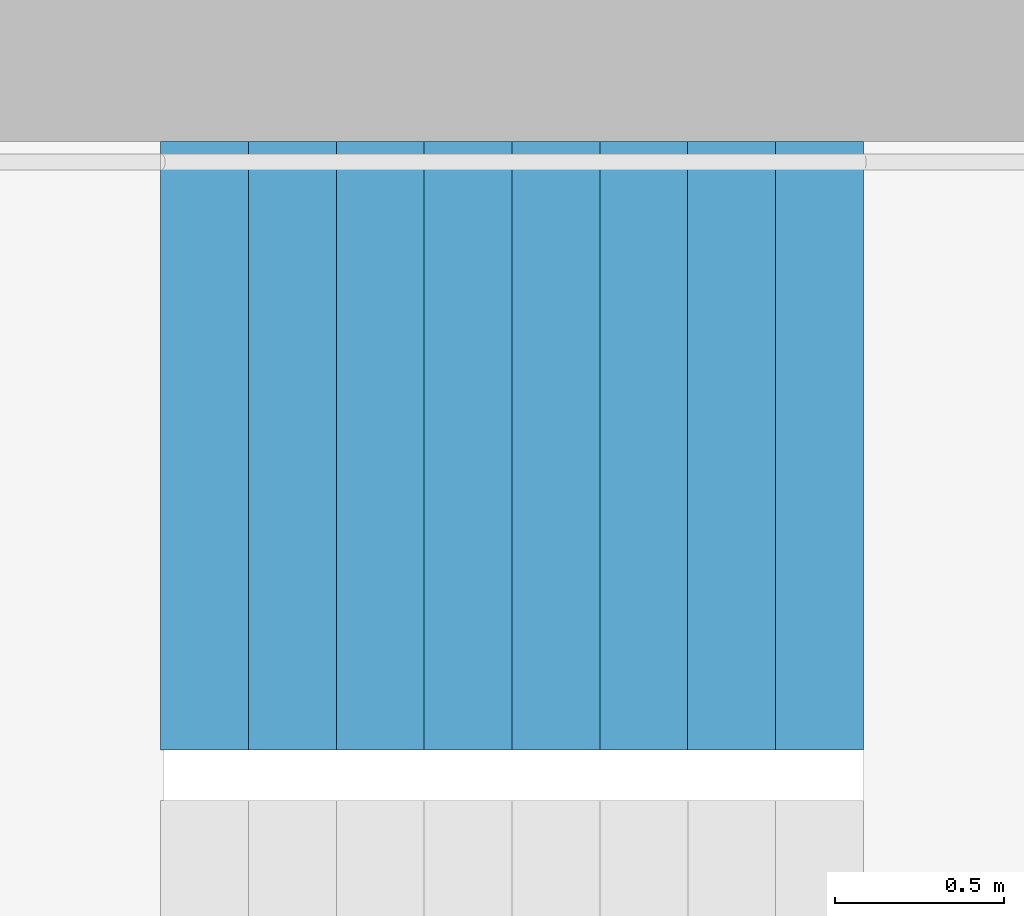
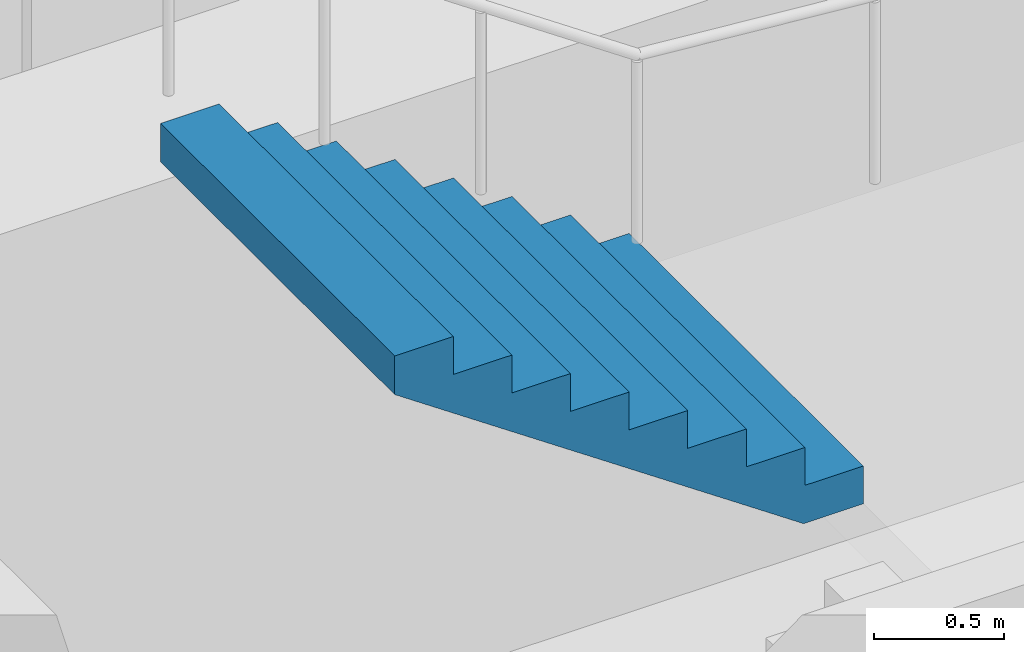
# One storey, part 21 of 26: 1 stair flight, 1 element without a shape of its own.
"""IFC4 building model written with IfcOpenShell, lengths in metres."""

from ifc_helpers import new_model, si_unit, direction, frame, origin, place, context, subcontext, project, spatial, triangles, material, type_object, element, aggregate, save


model = new_model("IFC4")

# Units and contexts
model_context = context("Model", 3, precision=1e-05, world=origin(), true_north=direction((0.0, 1.0)))
body_context = subcontext(model_context, "Body", "Model", "MODEL_VIEW")
ifc_project = project(units=[si_unit("LENGTHUNIT", "METRE"), si_unit("AREAUNIT", "SQUARE_METRE"), si_unit("VOLUMEUNIT", "CUBIC_METRE"), si_unit("PLANEANGLEUNIT", "RADIAN"), si_unit("MASSUNIT", "GRAM", prefix="KILO")], contexts=[model_context])

# Site, building, storey
site_placement = place(None, origin())
site = spatial("IfcSite", under=ifc_project, at=site_placement, CompositionType="ELEMENT")
building_placement = place(site_placement, origin())
building = spatial("IfcBuilding", under=site, at=building_placement, Name="Hakoniwa Tower and Hamabe Station Hall", CompositionType="ELEMENT")
storey_placement = place(building_placement, frame((0.0, 0.0, 215.39990234375)))
storey = spatial("IfcBuildingStorey", under=building, at=storey_placement, Name="L61", CompositionType="ELEMENT", Elevation=215.39990234375)

# Stair, stair flight
ifc_material_1 = material(Name="Concrete C40", Category="concrete")
stair_type = type_object("IfcStairType", Name="ESCAPE STAIR 1800", PredefinedType="HALF_TURN_STAIR", material=ifc_material_1)
stair_placement = place(storey_placement, origin())
stair = element("IfcStair", 1, at=stair_placement, inside=storey, type_object=stair_type, Name="Escape stair ST-1 L61", PredefinedType="HALF_TURN_STAIR")
ifc_material_2 = material(Name="Concrete C40", Category="concrete")
stair_flight_type = type_object("IfcStairFlightType", Name="STAIR FLIGHT 1800", PredefinedType="STRAIGHT", material=ifc_material_2)
stair_flight_placement = place(storey_placement, frame((-22.320068359375, 6.60009765625, 1.60009765625), z_axis=(0.0, 0.0, 1.0), x_axis=(-1.0, 0.0, 0.0)))
stair_flight = element("IfcStairFlight", 2, at=stair_flight_placement, type_object=stair_flight_type, Name="ST-1 flight 2", NumberOfRisers=9, NumberOfTreads=8, PredefinedType="STRAIGHT", RiserHeight=0.177777778, TreadLength=0.26, context=body_context, shape_type="Tessellation", body=[
    triangles([(0.0, 0.89990234375, 0.0), (0.260009765625, 0.89990234375, 0.0), (0.265625, 0.89990234375, 0.0), (0.52001953125, 0.89990234375, 0.174072265625), (0.780029296875, 0.89990234375, 0.351806640625), (1.0400390625, 0.89990234375, 0.529541015625), (1.300048828125, 0.89990234375, 0.707275390625), (1.56005859375, 0.89990234375, 0.885009765625), (1.820068359375, 0.89990234375, 1.062744140625), (2.080078125, 0.89990234375, 1.24072265625), (2.080078125, 0.89990234375, 1.422119140625), (1.820068359375, 0.89990234375, 1.422119140625), (1.820068359375, 0.89990234375, 1.244384765625), (1.56005859375, 0.89990234375, 1.244384765625), (1.56005859375, 0.89990234375, 1.066650390625), (1.300048828125, 0.89990234375, 1.066650390625), (1.300048828125, 0.89990234375, 0.888916015625), (1.0400390625, 0.89990234375, 0.888916015625), (1.0400390625, 0.89990234375, 0.711181640625), (0.780029296875, 0.89990234375, 0.711181640625), (0.780029296875, 0.89990234375, 0.533447265625), (0.52001953125, 0.89990234375, 0.533447265625), (0.52001953125, 0.89990234375, 0.35546875), (0.265625, 0.89990234375, 0.35546875), (0.260009765625, 0.89990234375, 0.35546875), (0.260009765625, 0.89990234375, 0.177734375), (0.0, 0.89990234375, 0.177734375), (0.0, 0.06005859375, 0.0), (0.260009765625, 0.06005859375, 0.0), (0.265625, 0.06005859375, 0.0), (0.52001953125, 0.06005859375, 0.174072265625), (0.780029296875, 0.06005859375, 0.351806640625), (1.0400390625, 0.06005859375, 0.529541015625), (1.300048828125, 0.06005859375, 0.707275390625), (1.56005859375, 0.06005859375, 0.885009765625), (1.820068359375, 0.06005859375, 1.062744140625), (2.080078125, 0.06005859375, 1.24072265625), (2.080078125, 0.06005859375, 1.422119140625), (1.820068359375, 0.06005859375, 1.422119140625), (1.820068359375, 0.06005859375, 1.244384765625), (1.56005859375, 0.06005859375, 1.244384765625), (1.56005859375, 0.06005859375, 1.066650390625), (1.300048828125, 0.06005859375, 1.066650390625), (1.300048828125, 0.06005859375, 0.888916015625), (1.0400390625, 0.06005859375, 0.888916015625), (1.0400390625, 0.06005859375, 0.711181640625), (0.780029296875, 0.06005859375, 0.711181640625), (0.780029296875, 0.06005859375, 0.533447265625), (0.52001953125, 0.06005859375, 0.533447265625), (0.52001953125, 0.06005859375, 0.35546875), (0.265625, 0.06005859375, 0.35546875), (0.260009765625, 0.06005859375, 0.35546875), (0.260009765625, 0.06005859375, 0.177734375), (0.0, 0.06005859375, 0.177734375), (0.0, 0.04296875, 0.0), (0.260009765625, 0.04296875, 0.0), (0.265625, 0.04296875, 0.0), (0.52001953125, 0.04296875, 0.174072265625), (0.780029296875, 0.04296875, 0.351806640625), (1.0400390625, 0.04296875, 0.529541015625), (1.300048828125, 0.04296875, 0.707275390625), (1.56005859375, 0.04296875, 0.885009765625), (1.820068359375, 0.04296875, 1.062744140625), (2.080078125, 0.04296875, 1.24072265625), (2.080078125, 0.04296875, 1.422119140625), (1.820068359375, 0.04296875, 1.422119140625), (1.820068359375, 0.04296875, 1.244384765625), (1.56005859375, 0.04296875, 1.244384765625), (1.56005859375, 0.04296875, 1.066650390625), (1.300048828125, 0.04296875, 1.066650390625), (1.300048828125, 0.04296875, 0.888916015625), (1.0400390625, 0.04296875, 0.888916015625), (1.0400390625, 0.04296875, 0.711181640625), (0.780029296875, 0.04296875, 0.711181640625), (0.780029296875, 0.04296875, 0.533447265625), (0.52001953125, 0.04296875, 0.533447265625), (0.52001953125, 0.04296875, 0.35546875), (0.265625, 0.04296875, 0.35546875), (0.260009765625, 0.04296875, 0.35546875), (0.260009765625, 0.04296875, 0.177734375), (0.0, 0.04296875, 0.177734375), (0.0, 0.025634765625, 0.0), (0.260009765625, 0.025634765625, 0.0), (0.265625, 0.025634765625, 0.0), (0.52001953125, 0.025634765625, 0.174072265625), (0.780029296875, 0.025634765625, 0.351806640625), (1.0400390625, 0.025634765625, 0.529541015625), (1.300048828125, 0.025634765625, 0.707275390625), (1.56005859375, 0.025634765625, 0.885009765625), (1.820068359375, 0.025634765625, 1.062744140625), (2.080078125, 0.025634765625, 1.24072265625), (2.080078125, 0.025634765625, 1.422119140625), (1.820068359375, 0.025634765625, 1.422119140625), (1.820068359375, 0.025634765625, 1.244384765625), (1.56005859375, 0.025634765625, 1.244384765625), (1.56005859375, 0.025634765625, 1.066650390625), (1.300048828125, 0.025634765625, 1.066650390625), (1.300048828125, 0.025634765625, 0.888916015625), (1.0400390625, 0.025634765625, 0.888916015625), (1.0400390625, 0.025634765625, 0.711181640625), (0.780029296875, 0.025634765625, 0.711181640625), (0.780029296875, 0.025634765625, 0.533447265625), (0.52001953125, 0.025634765625, 0.533447265625), (0.52001953125, 0.025634765625, 0.35546875), (0.265625, 0.025634765625, 0.35546875), (0.260009765625, 0.025634765625, 0.35546875), (0.260009765625, 0.025634765625, 0.177734375), (0.0, 0.025634765625, 0.177734375), (0.0, 0.008544921875, 0.0), (0.260009765625, 0.008544921875, 0.0), (0.265625, 0.008544921875, 0.0), (0.52001953125, 0.008544921875, 0.174072265625), (0.780029296875, 0.008544921875, 0.351806640625), (1.0400390625, 0.008544921875, 0.529541015625), (1.300048828125, 0.008544921875, 0.707275390625), (1.56005859375, 0.008544921875, 0.885009765625), (1.820068359375, 0.008544921875, 1.062744140625), (2.080078125, 0.008544921875, 1.24072265625), (2.080078125, 0.008544921875, 1.422119140625), (1.820068359375, 0.008544921875, 1.422119140625), (1.820068359375, 0.008544921875, 1.244384765625), (1.56005859375, 0.008544921875, 1.244384765625), (1.56005859375, 0.008544921875, 1.066650390625), (1.300048828125, 0.008544921875, 1.066650390625), (1.300048828125, 0.008544921875, 0.888916015625), (1.0400390625, 0.008544921875, 0.888916015625), (1.0400390625, 0.008544921875, 0.711181640625), (0.780029296875, 0.008544921875, 0.711181640625), (0.780029296875, 0.008544921875, 0.533447265625), (0.52001953125, 0.008544921875, 0.533447265625), (0.52001953125, 0.008544921875, 0.35546875), (0.265625, 0.008544921875, 0.35546875), (0.260009765625, 0.008544921875, 0.35546875), (0.260009765625, 0.008544921875, 0.177734375), (0.0, 0.008544921875, 0.177734375), (0.0, -0.008544921875, 0.0), (0.260009765625, -0.008544921875, 0.0), (0.265625, -0.008544921875, 0.0), (0.52001953125, -0.008544921875, 0.174072265625), (0.780029296875, -0.008544921875, 0.351806640625), (1.0400390625, -0.008544921875, 0.529541015625), (1.300048828125, -0.008544921875, 0.707275390625), (1.56005859375, -0.008544921875, 0.885009765625), (1.820068359375, -0.008544921875, 1.062744140625), (2.080078125, -0.008544921875, 1.24072265625), (2.080078125, -0.008544921875, 1.422119140625), (1.820068359375, -0.008544921875, 1.422119140625), (1.820068359375, -0.008544921875, 1.244384765625), (1.56005859375, -0.008544921875, 1.244384765625), (1.56005859375, -0.008544921875, 1.066650390625), (1.300048828125, -0.008544921875, 1.066650390625), (1.300048828125, -0.008544921875, 0.888916015625), (1.0400390625, -0.008544921875, 0.888916015625), (1.0400390625, -0.008544921875, 0.711181640625), (0.780029296875, -0.008544921875, 0.711181640625), (0.780029296875, -0.008544921875, 0.533447265625), (0.52001953125, -0.008544921875, 0.533447265625), (0.52001953125, -0.008544921875, 0.35546875), (0.265625, -0.008544921875, 0.35546875), (0.260009765625, -0.008544921875, 0.35546875), (0.260009765625, -0.008544921875, 0.177734375), (0.0, -0.008544921875, 0.177734375), (0.0, -0.025634765625, 0.0), (0.260009765625, -0.025634765625, 0.0), (0.265625, -0.025634765625, 0.0), (0.52001953125, -0.025634765625, 0.174072265625), (0.780029296875, -0.025634765625, 0.351806640625), (1.0400390625, -0.025634765625, 0.529541015625), (1.300048828125, -0.025634765625, 0.707275390625), (1.56005859375, -0.025634765625, 0.885009765625), (1.820068359375, -0.025634765625, 1.062744140625), (2.080078125, -0.025634765625, 1.24072265625), (2.080078125, -0.025634765625, 1.422119140625), (1.820068359375, -0.025634765625, 1.422119140625), (1.820068359375, -0.025634765625, 1.244384765625), (1.56005859375, -0.025634765625, 1.244384765625), (1.56005859375, -0.025634765625, 1.066650390625), (1.300048828125, -0.025634765625, 1.066650390625), (1.300048828125, -0.025634765625, 0.888916015625), (1.0400390625, -0.025634765625, 0.888916015625), (1.0400390625, -0.025634765625, 0.711181640625), (0.780029296875, -0.025634765625, 0.711181640625), (0.780029296875, -0.025634765625, 0.533447265625), (0.52001953125, -0.025634765625, 0.533447265625), (0.52001953125, -0.025634765625, 0.35546875), (0.265625, -0.025634765625, 0.35546875), (0.260009765625, -0.025634765625, 0.35546875), (0.260009765625, -0.025634765625, 0.177734375), (0.0, -0.025634765625, 0.177734375), (0.0, -0.04296875, 0.0), (0.260009765625, -0.04296875, 0.0), (0.265625, -0.04296875, 0.0), (0.52001953125, -0.04296875, 0.174072265625), (0.780029296875, -0.04296875, 0.351806640625), (1.0400390625, -0.04296875, 0.529541015625), (1.300048828125, -0.04296875, 0.707275390625), (1.56005859375, -0.04296875, 0.885009765625), (1.820068359375, -0.04296875, 1.062744140625), (2.080078125, -0.04296875, 1.24072265625), (2.080078125, -0.04296875, 1.422119140625), (1.820068359375, -0.04296875, 1.422119140625), (1.820068359375, -0.04296875, 1.244384765625), (1.56005859375, -0.04296875, 1.244384765625), (1.56005859375, -0.04296875, 1.066650390625), (1.300048828125, -0.04296875, 1.066650390625), (1.300048828125, -0.04296875, 0.888916015625), (1.0400390625, -0.04296875, 0.888916015625), (1.0400390625, -0.04296875, 0.711181640625), (0.780029296875, -0.04296875, 0.711181640625), (0.780029296875, -0.04296875, 0.533447265625), (0.52001953125, -0.04296875, 0.533447265625), (0.52001953125, -0.04296875, 0.35546875), (0.265625, -0.04296875, 0.35546875), (0.260009765625, -0.04296875, 0.35546875), (0.260009765625, -0.04296875, 0.177734375), (0.0, -0.04296875, 0.177734375), (0.0, -0.06005859375, 0.0), (0.260009765625, -0.06005859375, 0.0), (0.265625, -0.06005859375, 0.0), (0.52001953125, -0.06005859375, 0.174072265625), (0.780029296875, -0.06005859375, 0.351806640625), (1.0400390625, -0.06005859375, 0.529541015625), (1.300048828125, -0.06005859375, 0.707275390625), (1.56005859375, -0.06005859375, 0.885009765625), (1.820068359375, -0.06005859375, 1.062744140625), (2.080078125, -0.06005859375, 1.24072265625), (2.080078125, -0.06005859375, 1.422119140625), (1.820068359375, -0.06005859375, 1.422119140625), (1.820068359375, -0.06005859375, 1.244384765625), (1.56005859375, -0.06005859375, 1.244384765625), (1.56005859375, -0.06005859375, 1.066650390625), (1.300048828125, -0.06005859375, 1.066650390625), (1.300048828125, -0.06005859375, 0.888916015625), (1.0400390625, -0.06005859375, 0.888916015625), (1.0400390625, -0.06005859375, 0.711181640625), (0.780029296875, -0.06005859375, 0.711181640625), (0.780029296875, -0.06005859375, 0.533447265625), (0.52001953125, -0.06005859375, 0.533447265625), (0.52001953125, -0.06005859375, 0.35546875), (0.265625, -0.06005859375, 0.35546875), (0.260009765625, -0.06005859375, 0.35546875), (0.260009765625, -0.06005859375, 0.177734375), (0.0, -0.06005859375, 0.177734375), (0.0, -0.89990234375, 0.0), (0.260009765625, -0.89990234375, 0.0), (0.265625, -0.89990234375, 0.0), (0.52001953125, -0.89990234375, 0.174072265625), (0.780029296875, -0.89990234375, 0.351806640625), (1.0400390625, -0.89990234375, 0.529541015625), (1.300048828125, -0.89990234375, 0.707275390625), (1.56005859375, -0.89990234375, 0.885009765625), (1.820068359375, -0.89990234375, 1.062744140625), (2.080078125, -0.89990234375, 1.24072265625), (2.080078125, -0.89990234375, 1.422119140625), (1.820068359375, -0.89990234375, 1.422119140625), (1.820068359375, -0.89990234375, 1.244384765625), (1.56005859375, -0.89990234375, 1.244384765625), (1.56005859375, -0.89990234375, 1.066650390625), (1.300048828125, -0.89990234375, 1.066650390625), (1.300048828125, -0.89990234375, 0.888916015625), (1.0400390625, -0.89990234375, 0.888916015625), (1.0400390625, -0.89990234375, 0.711181640625), (0.780029296875, -0.89990234375, 0.711181640625), (0.780029296875, -0.89990234375, 0.533447265625), (0.52001953125, -0.89990234375, 0.533447265625), (0.52001953125, -0.89990234375, 0.35546875), (0.265625, -0.89990234375, 0.35546875), (0.260009765625, -0.89990234375, 0.35546875), (0.260009765625, -0.89990234375, 0.177734375), (0.0, -0.89990234375, 0.177734375)], [[2, 27, 26], [245, 269, 270], [2, 1, 27], [245, 270, 244], [3, 25, 24], [246, 267, 268], [3, 26, 25], [246, 268, 269], [3, 2, 26], [246, 269, 245], [4, 24, 23], [247, 266, 267], [4, 3, 24], [247, 267, 246], [5, 22, 21], [248, 264, 265], [5, 23, 22], [248, 265, 266], [5, 4, 23], [248, 266, 247], [6, 20, 19], [249, 262, 263], [6, 21, 20], [249, 263, 264], [6, 5, 21], [249, 264, 248], [7, 18, 17], [250, 260, 261], [7, 19, 18], [250, 261, 262], [7, 6, 19], [250, 262, 249], [8, 16, 15], [251, 258, 259], [8, 17, 16], [251, 259, 260], [8, 7, 17], [251, 260, 250], [9, 14, 13], [252, 256, 257], [9, 15, 14], [252, 257, 258], [9, 8, 15], [252, 258, 251], [10, 12, 11], [253, 254, 255], [10, 13, 12], [253, 255, 256], [10, 9, 13], [253, 256, 252], [1, 2, 29], [1, 29, 28], [28, 29, 56], [28, 56, 55], [55, 56, 83], [55, 83, 82], [82, 83, 110], [82, 110, 109], [109, 110, 137], [109, 137, 136], [136, 137, 164], [136, 164, 163], [163, 164, 191], [163, 191, 190], [190, 191, 218], [190, 218, 217], [217, 218, 245], [217, 245, 244], [2, 3, 30], [2, 30, 29], [29, 30, 57], [29, 57, 56], [56, 57, 84], [56, 84, 83], [83, 84, 111], [83, 111, 110], [110, 111, 138], [110, 138, 137], [137, 138, 165], [137, 165, 164], [164, 165, 192], [164, 192, 191], [191, 192, 219], [191, 219, 218], [218, 219, 246], [218, 246, 245], [3, 4, 31], [3, 31, 30], [30, 31, 58], [30, 58, 57], [57, 58, 85], [57, 85, 84], [84, 85, 112], [84, 112, 111], [111, 112, 139], [111, 139, 138], [138, 139, 166], [138, 166, 165], [165, 166, 193], [165, 193, 192], [192, 193, 220], [192, 220, 219], [219, 220, 247], [219, 247, 246], [4, 5, 32], [4, 32, 31], [31, 32, 59], [31, 59, 58], [58, 59, 86], [58, 86, 85], [85, 86, 113], [85, 113, 112], [112, 113, 140], [112, 140, 139], [139, 140, 167], [139, 167, 166], [166, 167, 194], [166, 194, 193], [193, 194, 221], [193, 221, 220], [220, 221, 248], [220, 248, 247], [5, 6, 33], [5, 33, 32], [32, 33, 60], [32, 60, 59], [59, 60, 87], [59, 87, 86], [86, 87, 114], [86, 114, 113], [113, 114, 141], [113, 141, 140], [140, 141, 168], [140, 168, 167], [167, 168, 195], [167, 195, 194], [194, 195, 222], [194, 222, 221], [221, 222, 249], [221, 249, 248], [6, 7, 34], [6, 34, 33], [33, 34, 61], [33, 61, 60], [60, 61, 88], [60, 88, 87], [87, 88, 115], [87, 115, 114], [114, 115, 142], [114, 142, 141], [141, 142, 169], [141, 169, 168], [168, 169, 196], [168, 196, 195], [195, 196, 223], [195, 223, 222], [222, 223, 250], [222, 250, 249], [7, 8, 35], [7, 35, 34], [34, 35, 62], [34, 62, 61], [61, 62, 89], [61, 89, 88], [88, 89, 116], [88, 116, 115], [115, 116, 143], [115, 143, 142], [142, 143, 170], [142, 170, 169], [169, 170, 197], [169, 197, 196], [196, 197, 224], [196, 224, 223], [223, 224, 251], [223, 251, 250], [8, 9, 36], [8, 36, 35], [35, 36, 63], [35, 63, 62], [62, 63, 90], [62, 90, 89], [89, 90, 117], [89, 117, 116], [116, 117, 144], [116, 144, 143], [143, 144, 171], [143, 171, 170], [170, 171, 198], [170, 198, 197], [197, 198, 225], [197, 225, 224], [224, 225, 252], [224, 252, 251], [9, 10, 37], [9, 37, 36], [36, 37, 64], [36, 64, 63], [63, 64, 91], [63, 91, 90], [90, 91, 118], [90, 118, 117], [117, 118, 145], [117, 145, 144], [144, 145, 172], [144, 172, 171], [171, 172, 199], [171, 199, 198], [198, 199, 226], [198, 226, 225], [225, 226, 253], [225, 253, 252], [10, 11, 38], [10, 38, 37], [37, 38, 65], [37, 65, 64], [64, 65, 92], [64, 92, 91], [91, 92, 119], [91, 119, 118], [118, 119, 146], [118, 146, 145], [145, 146, 173], [145, 173, 172], [172, 173, 200], [172, 200, 199], [199, 200, 227], [199, 227, 226], [226, 227, 254], [226, 254, 253], [11, 12, 39], [11, 39, 38], [38, 39, 66], [38, 66, 65], [65, 66, 93], [65, 93, 92], [92, 93, 120], [92, 120, 119], [119, 120, 147], [119, 147, 146], [146, 147, 174], [146, 174, 173], [173, 174, 201], [173, 201, 200], [200, 201, 228], [200, 228, 227], [227, 228, 255], [227, 255, 254], [12, 13, 40], [12, 40, 39], [39, 40, 67], [39, 67, 66], [66, 67, 94], [66, 94, 93], [93, 94, 121], [93, 121, 120], [120, 121, 148], [120, 148, 147], [147, 148, 175], [147, 175, 174], [174, 175, 202], [174, 202, 201], [201, 202, 229], [201, 229, 228], [228, 229, 256], [228, 256, 255], [13, 14, 41], [13, 41, 40], [40, 41, 68], [40, 68, 67], [67, 68, 95], [67, 95, 94], [94, 95, 122], [94, 122, 121], [121, 122, 149], [121, 149, 148], [148, 149, 176], [148, 176, 175], [175, 176, 203], [175, 203, 202], [202, 203, 230], [202, 230, 229], [229, 230, 257], [229, 257, 256], [14, 15, 42], [14, 42, 41], [41, 42, 69], [41, 69, 68], [68, 69, 96], [68, 96, 95], [95, 96, 123], [95, 123, 122], [122, 123, 150], [122, 150, 149], [149, 150, 177], [149, 177, 176], [176, 177, 204], [176, 204, 203], [203, 204, 231], [203, 231, 230], [230, 231, 258], [230, 258, 257], [15, 16, 43], [15, 43, 42], [42, 43, 70], [42, 70, 69], [69, 70, 97], [69, 97, 96], [96, 97, 124], [96, 124, 123], [123, 124, 151], [123, 151, 150], [150, 151, 178], [150, 178, 177], [177, 178, 205], [177, 205, 204], [204, 205, 232], [204, 232, 231], [231, 232, 259], [231, 259, 258], [16, 17, 44], [16, 44, 43], [43, 44, 71], [43, 71, 70], [70, 71, 98], [70, 98, 97], [97, 98, 125], [97, 125, 124], [124, 125, 152], [124, 152, 151], [151, 152, 179], [151, 179, 178], [178, 179, 206], [178, 206, 205], [205, 206, 233], [205, 233, 232], [232, 233, 260], [232, 260, 259], [17, 18, 45], [17, 45, 44], [44, 45, 72], [44, 72, 71], [71, 72, 99], [71, 99, 98], [98, 99, 126], [98, 126, 125], [125, 126, 153], [125, 153, 152], [152, 153, 180], [152, 180, 179], [179, 180, 207], [179, 207, 206], [206, 207, 234], [206, 234, 233], [233, 234, 261], [233, 261, 260], [18, 19, 46], [18, 46, 45], [45, 46, 73], [45, 73, 72], [72, 73, 100], [72, 100, 99], [99, 100, 127], [99, 127, 126], [126, 127, 154], [126, 154, 153], [153, 154, 181], [153, 181, 180], [180, 181, 208], [180, 208, 207], [207, 208, 235], [207, 235, 234], [234, 235, 262], [234, 262, 261], [19, 20, 47], [19, 47, 46], [46, 47, 74], [46, 74, 73], [73, 74, 101], [73, 101, 100], [100, 101, 128], [100, 128, 127], [127, 128, 155], [127, 155, 154], [154, 155, 182], [154, 182, 181], [181, 182, 209], [181, 209, 208], [208, 209, 236], [208, 236, 235], [235, 236, 263], [235, 263, 262], [20, 21, 48], [20, 48, 47], [47, 48, 75], [47, 75, 74], [74, 75, 102], [74, 102, 101], [101, 102, 129], [101, 129, 128], [128, 129, 156], [128, 156, 155], [155, 156, 183], [155, 183, 182], [182, 183, 210], [182, 210, 209], [209, 210, 237], [209, 237, 236], [236, 237, 264], [236, 264, 263], [21, 22, 49], [21, 49, 48], [48, 49, 76], [48, 76, 75], [75, 76, 103], [75, 103, 102], [102, 103, 130], [102, 130, 129], [129, 130, 157], [129, 157, 156], [156, 157, 184], [156, 184, 183], [183, 184, 211], [183, 211, 210], [210, 211, 238], [210, 238, 237], [237, 238, 265], [237, 265, 264], [22, 23, 50], [22, 50, 49], [49, 50, 77], [49, 77, 76], [76, 77, 104], [76, 104, 103], [103, 104, 131], [103, 131, 130], [130, 131, 158], [130, 158, 157], [157, 158, 185], [157, 185, 184], [184, 185, 212], [184, 212, 211], [211, 212, 239], [211, 239, 238], [238, 239, 266], [238, 266, 265], [23, 24, 51], [23, 51, 50], [50, 51, 78], [50, 78, 77], [77, 78, 105], [77, 105, 104], [104, 105, 132], [104, 132, 131], [131, 132, 159], [131, 159, 158], [158, 159, 186], [158, 186, 185], [185, 186, 213], [185, 213, 212], [212, 213, 240], [212, 240, 239], [239, 240, 267], [239, 267, 266], [24, 25, 52], [24, 52, 51], [51, 52, 79], [51, 79, 78], [78, 79, 106], [78, 106, 105], [105, 106, 133], [105, 133, 132], [132, 133, 160], [132, 160, 159], [159, 160, 187], [159, 187, 186], [186, 187, 214], [186, 214, 213], [213, 214, 241], [213, 241, 240], [240, 241, 268], [240, 268, 267], [25, 26, 53], [25, 53, 52], [52, 53, 80], [52, 80, 79], [79, 80, 107], [79, 107, 106], [106, 107, 134], [106, 134, 133], [133, 134, 161], [133, 161, 160], [160, 161, 188], [160, 188, 187], [187, 188, 215], [187, 215, 214], [214, 215, 242], [214, 242, 241], [241, 242, 269], [241, 269, 268], [26, 27, 54], [26, 54, 53], [53, 54, 81], [53, 81, 80], [80, 81, 108], [80, 108, 107], [107, 108, 135], [107, 135, 134], [134, 135, 162], [134, 162, 161], [161, 162, 189], [161, 189, 188], [188, 189, 216], [188, 216, 215], [215, 216, 243], [215, 243, 242], [242, 243, 270], [242, 270, 269], [27, 1, 28], [27, 28, 54], [54, 28, 55], [54, 55, 81], [81, 55, 82], [81, 82, 108], [108, 82, 109], [108, 109, 135], [135, 109, 136], [135, 136, 162], [162, 136, 163], [162, 163, 189], [189, 163, 190], [189, 190, 216], [216, 190, 217], [216, 217, 243], [243, 217, 244], [243, 244, 270]], closed=True),
])
aggregate(stair, [stair_flight])

save(model, "model.ifc")
